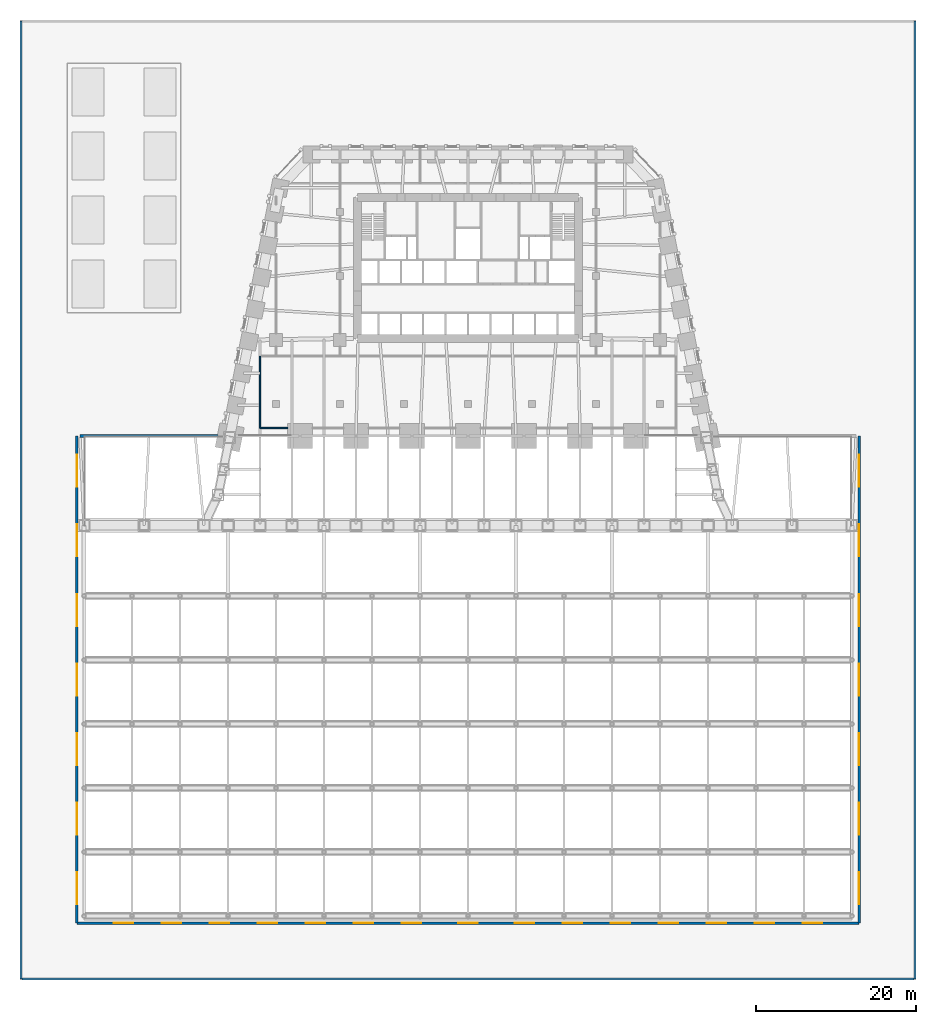
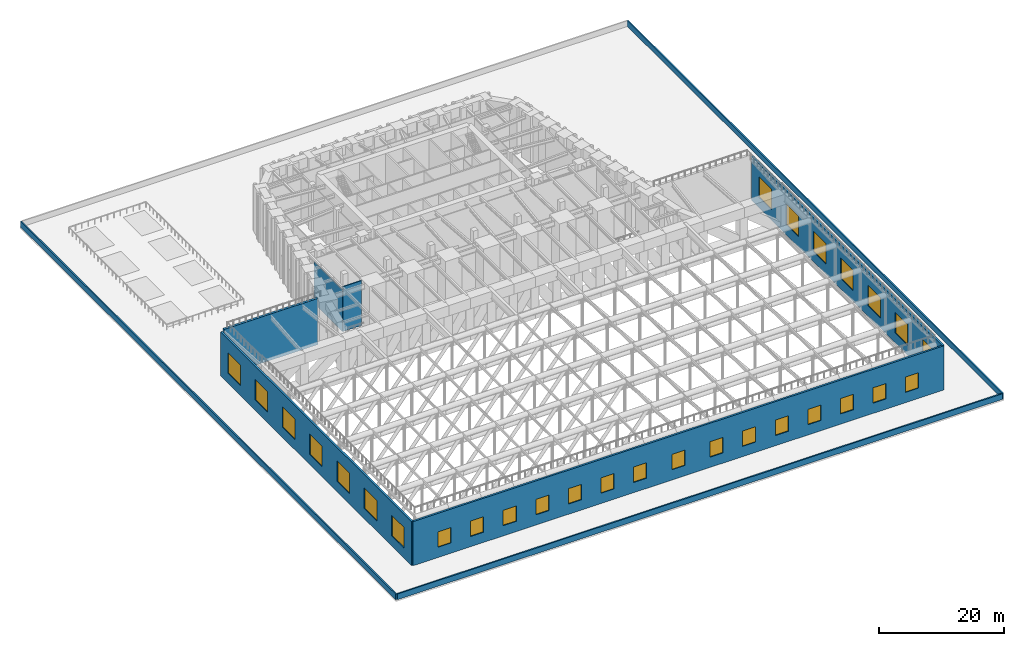
# One storey, part 14 of 20: 29 windows, 9 walls, 29 openings.
"""IFC4 building model written with IfcOpenShell, lengths in metres."""

from ifc_helpers import new_model, si_unit, direction, frame, frame_2d, origin, place, context, subcontext, project, spatial, rectangle, extrude, material, layer, layer_set, type_object, element, fill, save


model = new_model("IFC4")

# Units and contexts
model_context = context("Model", 3, precision=1e-05, world=origin(), true_north=direction((0.0, 1.0)))
body_context = subcontext(model_context, "Body", "Model", "MODEL_VIEW")
ifc_project = project(units=[si_unit("LENGTHUNIT", "METRE"), si_unit("AREAUNIT", "SQUARE_METRE"), si_unit("VOLUMEUNIT", "CUBIC_METRE"), si_unit("PLANEANGLEUNIT", "RADIAN"), si_unit("MASSUNIT", "GRAM", prefix="KILO")], contexts=[model_context])

# Site, building, storey
site_placement = place(None, origin())
site = spatial("IfcSite", under=ifc_project, at=site_placement, CompositionType="ELEMENT")
building_placement = place(site_placement, origin())
building = spatial("IfcBuilding", under=site, at=building_placement, Name="Isbrekke Arena Tower", CompositionType="ELEMENT")
storey_placement = place(building_placement, frame((0.0, 0.0, 19.0)))
storey = spatial("IfcBuildingStorey", under=building, at=storey_placement, Name="L03", CompositionType="ELEMENT", Elevation=19.0)

# Wall
ifc_material_1 = material(Name="Concrete B45 (C45/55)", Category="concrete")
ifc_layer_1 = layer(ifc_material_1, 0.39990234375)
ifc_layer_set_1 = layer_set([ifc_layer_1], Name="AW1 ARENA WALL 400")
wall_type_1 = type_object("IfcWallType", Name="AW1 ARENA WALL 400", PredefinedType="SHEAR", material=ifc_layer_set_1)
wall_1_placement = place(storey_placement, frame((-48.5, -6.0, 0.0), z_axis=(0.0, 0.0, 1.0), x_axis=(1.0, 0.0, 0.0)))
element("IfcWall", 1, at=wall_1_placement, inside=storey, type_object=wall_type_1, Name="Arena north wall W L03", PredefinedType="SHEAR", context=body_context, shape_type="SweptSolid", body=[
    extrude(rectangle(XDim=17.25, YDim=0.39990234375, at=frame_2d((8.625, 0.0))), origin(), (0.0, 0.0, 1.0), 9.0),
])

# Wall, openings, windows
ifc_material_2 = material(Name="Concrete B45 (C45/55)", Category="concrete")
ifc_layer_2 = layer(ifc_material_2, 0.35009765625)
ifc_layer_set_2 = layer_set([ifc_layer_2], Name="EW3 ARENA CLERESTORY WALL 350")
wall_type_2 = type_object("IfcWallType", Name="EW3 ARENA CLERESTORY WALL 350", PredefinedType="SOLIDWALL", material=ifc_layer_set_2)
wall_2_placement = place(storey_placement, frame((48.89990234375, -66.89990234375, 0.0), z_axis=(0.0, 0.0, 1.0), x_axis=(0.0, 1.0, 0.0)))
wall_2 = element("IfcWall", 2, at=wall_2_placement, inside=storey, type_object=wall_type_2, Name="EW3 arena clerestory wall E", PredefinedType="SOLIDWALL", context=body_context, shape_type="SweptSolid", body=[
    extrude(rectangle(XDim=60.89990234375, YDim=0.35009765625, at=frame_2d((30.449951171875, 0.0))), origin(), (0.0, 0.0, 1.0), 8.60009765625),
])
opening_1_placement = place(wall_2_placement, frame((2.35009765625, 0.0, 2.0)))
opening_1 = element("IfcOpeningElement", 3, at=opening_1_placement, cuts=wall_2, Name="Opening WN3", PredefinedType="OPENING", context=body_context, shape_type="SweptSolid", body=[
    extrude(rectangle(XDim=4.0, YDim=4.0, at=frame_2d((2.0, 2.0))), frame((0.0, 0.18994140625, 0.0), z_axis=(0.0, -1.0, 0.0), x_axis=(1.0, 0.0, 0.0)), (0.0, 0.0, 1.0), 0.3798828125),
])
opening_2_placement = place(wall_2_placement, frame((11.050048828125, 0.0, 2.0)))
opening_2 = element("IfcOpeningElement", 4, at=opening_2_placement, cuts=wall_2, Name="Opening WN3", PredefinedType="OPENING", context=body_context, shape_type="SweptSolid", body=[
    extrude(rectangle(XDim=4.0, YDim=4.0, at=frame_2d((2.0, 2.0))), frame((0.0, 0.18994140625, 0.0), z_axis=(0.0, -1.0, 0.0), x_axis=(1.0, 0.0, 0.0)), (0.0, 0.0, 1.0), 0.3798828125),
])
opening_3_placement = place(wall_2_placement, frame((19.75, 0.0, 2.0)))
opening_3 = element("IfcOpeningElement", 5, at=opening_3_placement, cuts=wall_2, Name="Opening WN3", PredefinedType="OPENING", context=body_context, shape_type="SweptSolid", body=[
    extrude(rectangle(XDim=4.0, YDim=4.0, at=frame_2d((2.0, 2.0))), frame((0.0, 0.18994140625, 0.0), z_axis=(0.0, -1.0, 0.0), x_axis=(1.0, 0.0, 0.0)), (0.0, 0.0, 1.0), 0.3798828125),
])
opening_4_placement = place(wall_2_placement, frame((28.449951171875, 0.0, 2.0)))
opening_4 = element("IfcOpeningElement", 6, at=opening_4_placement, cuts=wall_2, Name="Opening WN3", PredefinedType="OPENING", context=body_context, shape_type="SweptSolid", body=[
    extrude(rectangle(XDim=4.0, YDim=4.0, at=frame_2d((2.0, 2.0))), frame((0.0, 0.18994140625, 0.0), z_axis=(0.0, -1.0, 0.0), x_axis=(1.0, 0.0, 0.0)), (0.0, 0.0, 1.0), 0.3798828125),
])
opening_5_placement = place(wall_2_placement, frame((37.14990234375, 0.0, 2.0)))
opening_5 = element("IfcOpeningElement", 7, at=opening_5_placement, cuts=wall_2, Name="Opening WN3", PredefinedType="OPENING", context=body_context, shape_type="SweptSolid", body=[
    extrude(rectangle(XDim=4.0, YDim=4.0, at=frame_2d((2.0, 2.0))), frame((0.0, 0.18994140625, 0.0), z_axis=(0.0, -1.0, 0.0), x_axis=(1.0, 0.0, 0.0)), (0.0, 0.0, 1.0), 0.3798828125),
])
opening_6_placement = place(wall_2_placement, frame((45.85009765625, 0.0, 2.0)))
opening_6 = element("IfcOpeningElement", 8, at=opening_6_placement, cuts=wall_2, Name="Opening WN3", PredefinedType="OPENING", context=body_context, shape_type="SweptSolid", body=[
    extrude(rectangle(XDim=4.0, YDim=4.0, at=frame_2d((2.0, 2.0))), frame((0.0, 0.18994140625, 0.0), z_axis=(0.0, -1.0, 0.0), x_axis=(1.0, 0.0, 0.0)), (0.0, 0.0, 1.0), 0.3798828125),
])
opening_7_placement = place(wall_2_placement, frame((54.550048828125, 0.0, 2.0)))
opening_7 = element("IfcOpeningElement", 9, at=opening_7_placement, cuts=wall_2, Name="Opening WN3", PredefinedType="OPENING", context=body_context, shape_type="SweptSolid", body=[
    extrude(rectangle(XDim=4.0, YDim=4.0, at=frame_2d((2.0, 2.0))), frame((0.0, 0.18994140625, 0.0), z_axis=(0.0, -1.0, 0.0), x_axis=(1.0, 0.0, 0.0)), (0.0, 0.0, 1.0), 0.3798828125),
])
ifc_material_3 = material(Name="Aluminium window, triple glazed", Category="aluminium")
window_type_1 = type_object("IfcWindowType", Name="WN3 CLERESTORY WINDOW 4000 x 4000", PartitioningType="SINGLE_PANEL", PredefinedType="WINDOW", material=ifc_material_3)
window_1_placement = place(opening_1_placement, origin())
window_1 = element("IfcWindow", 10, at=window_1_placement, inside=storey, type_object=window_type_1, Name="WN3 clerestory window E-1", OverallHeight=4.0, OverallWidth=4.0, PartitioningType="SINGLE_PANEL", PredefinedType="WINDOW", context=body_context, shape_type="SweptSolid", body=[
    extrude(rectangle(XDim=4.0, YDim=4.0, at=frame_2d((2.0, 2.0))), frame((0.0, 0.030029296875, 0.0), z_axis=(0.0, -1.0, 0.0), x_axis=(1.0, 0.0, 0.0)), (0.0, 0.0, 1.0), 0.06005859375),
])
fill(opening_1, window_1)
window_2_placement = place(opening_2_placement, origin())
window_2 = element("IfcWindow", 11, at=window_2_placement, inside=storey, type_object=window_type_1, Name="WN3 clerestory window E-2", OverallHeight=4.0, OverallWidth=4.0, PartitioningType="SINGLE_PANEL", PredefinedType="WINDOW", context=body_context, shape_type="SweptSolid", body=[
    extrude(rectangle(XDim=4.0, YDim=4.0, at=frame_2d((2.0, 2.0))), frame((0.0, 0.030029296875, 0.0), z_axis=(0.0, -1.0, 0.0), x_axis=(1.0, 0.0, 0.0)), (0.0, 0.0, 1.0), 0.06005859375),
])
fill(opening_2, window_2)
window_3_placement = place(opening_3_placement, origin())
window_3 = element("IfcWindow", 12, at=window_3_placement, inside=storey, type_object=window_type_1, Name="WN3 clerestory window E-3", OverallHeight=4.0, OverallWidth=4.0, PartitioningType="SINGLE_PANEL", PredefinedType="WINDOW", context=body_context, shape_type="SweptSolid", body=[
    extrude(rectangle(XDim=4.0, YDim=4.0, at=frame_2d((2.0, 2.0))), frame((0.0, 0.030029296875, 0.0), z_axis=(0.0, -1.0, 0.0), x_axis=(1.0, 0.0, 0.0)), (0.0, 0.0, 1.0), 0.06005859375),
])
fill(opening_3, window_3)
window_4_placement = place(opening_4_placement, origin())
window_4 = element("IfcWindow", 13, at=window_4_placement, inside=storey, type_object=window_type_1, Name="WN3 clerestory window E-4", OverallHeight=4.0, OverallWidth=4.0, PartitioningType="SINGLE_PANEL", PredefinedType="WINDOW", context=body_context, shape_type="SweptSolid", body=[
    extrude(rectangle(XDim=4.0, YDim=4.0, at=frame_2d((2.0, 2.0))), frame((0.0, 0.030029296875, 0.0), z_axis=(0.0, -1.0, 0.0), x_axis=(1.0, 0.0, 0.0)), (0.0, 0.0, 1.0), 0.06005859375),
])
fill(opening_4, window_4)
window_5_placement = place(opening_5_placement, origin())
window_5 = element("IfcWindow", 14, at=window_5_placement, inside=storey, type_object=window_type_1, Name="WN3 clerestory window E-5", OverallHeight=4.0, OverallWidth=4.0, PartitioningType="SINGLE_PANEL", PredefinedType="WINDOW", context=body_context, shape_type="SweptSolid", body=[
    extrude(rectangle(XDim=4.0, YDim=4.0, at=frame_2d((2.0, 2.0))), frame((0.0, 0.030029296875, 0.0), z_axis=(0.0, -1.0, 0.0), x_axis=(1.0, 0.0, 0.0)), (0.0, 0.0, 1.0), 0.06005859375),
])
fill(opening_5, window_5)
window_6_placement = place(opening_6_placement, origin())
window_6 = element("IfcWindow", 15, at=window_6_placement, inside=storey, type_object=window_type_1, Name="WN3 clerestory window E-6", OverallHeight=4.0, OverallWidth=4.0, PartitioningType="SINGLE_PANEL", PredefinedType="WINDOW", context=body_context, shape_type="SweptSolid", body=[
    extrude(rectangle(XDim=4.0, YDim=4.0, at=frame_2d((2.0, 2.0))), frame((0.0, 0.030029296875, 0.0), z_axis=(0.0, -1.0, 0.0), x_axis=(1.0, 0.0, 0.0)), (0.0, 0.0, 1.0), 0.06005859375),
])
fill(opening_6, window_6)
window_7_placement = place(opening_7_placement, origin())
window_7 = element("IfcWindow", 16, at=window_7_placement, inside=storey, type_object=window_type_1, Name="WN3 clerestory window E-7", OverallHeight=4.0, OverallWidth=4.0, PartitioningType="SINGLE_PANEL", PredefinedType="WINDOW", context=body_context, shape_type="SweptSolid", body=[
    extrude(rectangle(XDim=4.0, YDim=4.0, at=frame_2d((2.0, 2.0))), frame((0.0, 0.030029296875, 0.0), z_axis=(0.0, -1.0, 0.0), x_axis=(1.0, 0.0, 0.0)), (0.0, 0.0, 1.0), 0.06005859375),
])
fill(opening_7, window_7)

wall_3_placement = place(storey_placement, frame((-48.89990234375, -66.89990234375, 0.0), z_axis=(0.0, 0.0, 1.0), x_axis=(1.0, 0.0, 0.0)))
wall_3 = element("IfcWall", 17, at=wall_3_placement, inside=storey, type_object=wall_type_2, Name="EW3 arena clerestory wall S", PredefinedType="SOLIDWALL", context=body_context, shape_type="SweptSolid", body=[
    extrude(rectangle(XDim=97.7998046875, YDim=0.35009765625, at=frame_2d((48.89990234375, 0.0))), origin(), (0.0, 0.0, 1.0), 8.60009765625),
])
opening_8_placement = place(wall_3_placement, frame((4.643798828125, 0.0, 2.0)))
opening_8 = element("IfcOpeningElement", 18, at=opening_8_placement, cuts=wall_3, Name="Opening WN5", PredefinedType="OPENING", context=body_context, shape_type="SweptSolid", body=[
    extrude(rectangle(XDim=2.39990234375, YDim=3.0, at=frame_2d((1.199951171875, 1.5))), frame((0.0, 0.18994140625, 0.0), z_axis=(0.0, -1.0, 0.0), x_axis=(1.0, 0.0, 0.0)), (0.0, 0.0, 1.0), 0.3798828125),
])
opening_9_placement = place(wall_3_placement, frame((10.643798828125, 0.0, 2.0)))
opening_9 = element("IfcOpeningElement", 19, at=opening_9_placement, cuts=wall_3, Name="Opening WN5", PredefinedType="OPENING", context=body_context, shape_type="SweptSolid", body=[
    extrude(rectangle(XDim=2.39990234375, YDim=3.0, at=frame_2d((1.199951171875, 1.5))), frame((0.0, 0.18994140625, 0.0), z_axis=(0.0, -1.0, 0.0), x_axis=(1.0, 0.0, 0.0)), (0.0, 0.0, 1.0), 0.3798828125),
])
opening_10_placement = place(wall_3_placement, frame((16.643798828125, 0.0, 2.0)))
opening_10 = element("IfcOpeningElement", 20, at=opening_10_placement, cuts=wall_3, Name="Opening WN5", PredefinedType="OPENING", context=body_context, shape_type="SweptSolid", body=[
    extrude(rectangle(XDim=2.39990234375, YDim=3.0, at=frame_2d((1.199951171875, 1.5))), frame((0.0, 0.18994140625, 0.0), z_axis=(0.0, -1.0, 0.0), x_axis=(1.0, 0.0, 0.0)), (0.0, 0.0, 1.0), 0.3798828125),
])
opening_11_placement = place(wall_3_placement, frame((22.643798828125, 0.0, 2.0)))
opening_11 = element("IfcOpeningElement", 21, at=opening_11_placement, cuts=wall_3, Name="Opening WN5", PredefinedType="OPENING", context=body_context, shape_type="SweptSolid", body=[
    extrude(rectangle(XDim=2.39990234375, YDim=3.0, at=frame_2d((1.199951171875, 1.5))), frame((0.0, 0.18994140625, 0.0), z_axis=(0.0, -1.0, 0.0), x_axis=(1.0, 0.0, 0.0)), (0.0, 0.0, 1.0), 0.3798828125),
])
opening_12_placement = place(wall_3_placement, frame((28.643798828125, 0.0, 2.0)))
opening_12 = element("IfcOpeningElement", 22, at=opening_12_placement, cuts=wall_3, Name="Opening WN5", PredefinedType="OPENING", context=body_context, shape_type="SweptSolid", body=[
    extrude(rectangle(XDim=2.39990234375, YDim=3.0, at=frame_2d((1.199951171875, 1.5))), frame((0.0, 0.18994140625, 0.0), z_axis=(0.0, -1.0, 0.0), x_axis=(1.0, 0.0, 0.0)), (0.0, 0.0, 1.0), 0.3798828125),
])
opening_13_placement = place(wall_3_placement, frame((34.643798828125, 0.0, 2.0)))
opening_13 = element("IfcOpeningElement", 23, at=opening_13_placement, cuts=wall_3, Name="Opening WN5", PredefinedType="OPENING", context=body_context, shape_type="SweptSolid", body=[
    extrude(rectangle(XDim=2.39990234375, YDim=3.0, at=frame_2d((1.199951171875, 1.5))), frame((0.0, 0.18994140625, 0.0), z_axis=(0.0, -1.0, 0.0), x_axis=(1.0, 0.0, 0.0)), (0.0, 0.0, 1.0), 0.3798828125),
])
opening_14_placement = place(wall_3_placement, frame((40.643798828125, 0.0, 2.0)))
opening_14 = element("IfcOpeningElement", 24, at=opening_14_placement, cuts=wall_3, Name="Opening WN5", PredefinedType="OPENING", context=body_context, shape_type="SweptSolid", body=[
    extrude(rectangle(XDim=2.39990234375, YDim=3.0, at=frame_2d((1.199951171875, 1.5))), frame((0.0, 0.18994140625, 0.0), z_axis=(0.0, -1.0, 0.0), x_axis=(1.0, 0.0, 0.0)), (0.0, 0.0, 1.0), 0.3798828125),
])
opening_15_placement = place(wall_3_placement, frame((47.699951171875, 0.0, 2.0)))
opening_15 = element("IfcOpeningElement", 25, at=opening_15_placement, cuts=wall_3, Name="Opening WN5", PredefinedType="OPENING", context=body_context, shape_type="SweptSolid", body=[
    extrude(rectangle(XDim=2.39990234375, YDim=3.0, at=frame_2d((1.199951171875, 1.5))), frame((0.0, 0.18994140625, 0.0), z_axis=(0.0, -1.0, 0.0), x_axis=(1.0, 0.0, 0.0)), (0.0, 0.0, 1.0), 0.3798828125),
])
opening_16_placement = place(wall_3_placement, frame((54.75634765625, 0.0, 2.0)))
opening_16 = element("IfcOpeningElement", 26, at=opening_16_placement, cuts=wall_3, Name="Opening WN5", PredefinedType="OPENING", context=body_context, shape_type="SweptSolid", body=[
    extrude(rectangle(XDim=2.39990234375, YDim=3.0, at=frame_2d((1.199951171875, 1.5))), frame((0.0, 0.18994140625, 0.0), z_axis=(0.0, -1.0, 0.0), x_axis=(1.0, 0.0, 0.0)), (0.0, 0.0, 1.0), 0.3798828125),
])
opening_17_placement = place(wall_3_placement, frame((60.75634765625, 0.0, 2.0)))
opening_17 = element("IfcOpeningElement", 27, at=opening_17_placement, cuts=wall_3, Name="Opening WN5", PredefinedType="OPENING", context=body_context, shape_type="SweptSolid", body=[
    extrude(rectangle(XDim=2.39990234375, YDim=3.0, at=frame_2d((1.199951171875, 1.5))), frame((0.0, 0.18994140625, 0.0), z_axis=(0.0, -1.0, 0.0), x_axis=(1.0, 0.0, 0.0)), (0.0, 0.0, 1.0), 0.3798828125),
])
opening_18_placement = place(wall_3_placement, frame((66.75634765625, 0.0, 2.0)))
opening_18 = element("IfcOpeningElement", 28, at=opening_18_placement, cuts=wall_3, Name="Opening WN5", PredefinedType="OPENING", context=body_context, shape_type="SweptSolid", body=[
    extrude(rectangle(XDim=2.39990234375, YDim=3.0, at=frame_2d((1.199951171875, 1.5))), frame((0.0, 0.18994140625, 0.0), z_axis=(0.0, -1.0, 0.0), x_axis=(1.0, 0.0, 0.0)), (0.0, 0.0, 1.0), 0.3798828125),
])
opening_19_placement = place(wall_3_placement, frame((72.75634765625, 0.0, 2.0)))
opening_19 = element("IfcOpeningElement", 29, at=opening_19_placement, cuts=wall_3, Name="Opening WN5", PredefinedType="OPENING", context=body_context, shape_type="SweptSolid", body=[
    extrude(rectangle(XDim=2.39990234375, YDim=3.0, at=frame_2d((1.199951171875, 1.5))), frame((0.0, 0.18994140625, 0.0), z_axis=(0.0, -1.0, 0.0), x_axis=(1.0, 0.0, 0.0)), (0.0, 0.0, 1.0), 0.3798828125),
])
opening_20_placement = place(wall_3_placement, frame((78.75634765625, 0.0, 2.0)))
opening_20 = element("IfcOpeningElement", 30, at=opening_20_placement, cuts=wall_3, Name="Opening WN5", PredefinedType="OPENING", context=body_context, shape_type="SweptSolid", body=[
    extrude(rectangle(XDim=2.39990234375, YDim=3.0, at=frame_2d((1.199951171875, 1.5))), frame((0.0, 0.18994140625, 0.0), z_axis=(0.0, -1.0, 0.0), x_axis=(1.0, 0.0, 0.0)), (0.0, 0.0, 1.0), 0.3798828125),
])
opening_21_placement = place(wall_3_placement, frame((84.75634765625, 0.0, 2.0)))
opening_21 = element("IfcOpeningElement", 31, at=opening_21_placement, cuts=wall_3, Name="Opening WN5", PredefinedType="OPENING", context=body_context, shape_type="SweptSolid", body=[
    extrude(rectangle(XDim=2.39990234375, YDim=3.0, at=frame_2d((1.199951171875, 1.5))), frame((0.0, 0.18994140625, 0.0), z_axis=(0.0, -1.0, 0.0), x_axis=(1.0, 0.0, 0.0)), (0.0, 0.0, 1.0), 0.3798828125),
])
opening_22_placement = place(wall_3_placement, frame((90.75634765625, 0.0, 2.0)))
opening_22 = element("IfcOpeningElement", 32, at=opening_22_placement, cuts=wall_3, Name="Opening WN5", PredefinedType="OPENING", context=body_context, shape_type="SweptSolid", body=[
    extrude(rectangle(XDim=2.39990234375, YDim=3.0, at=frame_2d((1.199951171875, 1.5))), frame((0.0, 0.18994140625, 0.0), z_axis=(0.0, -1.0, 0.0), x_axis=(1.0, 0.0, 0.0)), (0.0, 0.0, 1.0), 0.3798828125),
])
ifc_material_4 = material(Name="Aluminium window, triple glazed", Category="aluminium")
window_type_2 = type_object("IfcWindowType", Name="WN5 CLERESTORY WINDOW 2400 x 3000", PartitioningType="SINGLE_PANEL", PredefinedType="WINDOW", material=ifc_material_4)
window_8_placement = place(opening_8_placement, origin())
window_8 = element("IfcWindow", 33, at=window_8_placement, inside=storey, type_object=window_type_2, Name="WN5 clerestory window S-1", OverallHeight=3.0, OverallWidth=2.39990234375, PartitioningType="SINGLE_PANEL", PredefinedType="WINDOW", context=body_context, shape_type="SweptSolid", body=[
    extrude(rectangle(XDim=2.39990234375, YDim=3.0, at=frame_2d((1.199951171875, 1.5))), frame((0.0, 0.030029296875, 0.0), z_axis=(0.0, -1.0, 0.0), x_axis=(1.0, 0.0, 0.0)), (0.0, 0.0, 1.0), 0.06005859375),
])
fill(opening_8, window_8)
window_9_placement = place(opening_9_placement, origin())
window_9 = element("IfcWindow", 34, at=window_9_placement, inside=storey, type_object=window_type_2, Name="WN5 clerestory window S-2", OverallHeight=3.0, OverallWidth=2.39990234375, PartitioningType="SINGLE_PANEL", PredefinedType="WINDOW", context=body_context, shape_type="SweptSolid", body=[
    extrude(rectangle(XDim=2.39990234375, YDim=3.0, at=frame_2d((1.199951171875, 1.5))), frame((0.0, 0.030029296875, 0.0), z_axis=(0.0, -1.0, 0.0), x_axis=(1.0, 0.0, 0.0)), (0.0, 0.0, 1.0), 0.06005859375),
])
fill(opening_9, window_9)
window_10_placement = place(opening_10_placement, origin())
window_10 = element("IfcWindow", 35, at=window_10_placement, inside=storey, type_object=window_type_2, Name="WN5 clerestory window S-3", OverallHeight=3.0, OverallWidth=2.39990234375, PartitioningType="SINGLE_PANEL", PredefinedType="WINDOW", context=body_context, shape_type="SweptSolid", body=[
    extrude(rectangle(XDim=2.39990234375, YDim=3.0, at=frame_2d((1.199951171875, 1.5))), frame((0.0, 0.030029296875, 0.0), z_axis=(0.0, -1.0, 0.0), x_axis=(1.0, 0.0, 0.0)), (0.0, 0.0, 1.0), 0.06005859375),
])
fill(opening_10, window_10)
window_11_placement = place(opening_11_placement, origin())
window_11 = element("IfcWindow", 36, at=window_11_placement, inside=storey, type_object=window_type_2, Name="WN5 clerestory window S-4", OverallHeight=3.0, OverallWidth=2.39990234375, PartitioningType="SINGLE_PANEL", PredefinedType="WINDOW", context=body_context, shape_type="SweptSolid", body=[
    extrude(rectangle(XDim=2.39990234375, YDim=3.0, at=frame_2d((1.199951171875, 1.5))), frame((0.0, 0.030029296875, 0.0), z_axis=(0.0, -1.0, 0.0), x_axis=(1.0, 0.0, 0.0)), (0.0, 0.0, 1.0), 0.06005859375),
])
fill(opening_11, window_11)
window_12_placement = place(opening_12_placement, origin())
window_12 = element("IfcWindow", 37, at=window_12_placement, inside=storey, type_object=window_type_2, Name="WN5 clerestory window S-5", OverallHeight=3.0, OverallWidth=2.39990234375, PartitioningType="SINGLE_PANEL", PredefinedType="WINDOW", context=body_context, shape_type="SweptSolid", body=[
    extrude(rectangle(XDim=2.39990234375, YDim=3.0, at=frame_2d((1.199951171875, 1.5))), frame((0.0, 0.030029296875, 0.0), z_axis=(0.0, -1.0, 0.0), x_axis=(1.0, 0.0, 0.0)), (0.0, 0.0, 1.0), 0.06005859375),
])
fill(opening_12, window_12)
window_13_placement = place(opening_13_placement, origin())
window_13 = element("IfcWindow", 38, at=window_13_placement, inside=storey, type_object=window_type_2, Name="WN5 clerestory window S-6", OverallHeight=3.0, OverallWidth=2.39990234375, PartitioningType="SINGLE_PANEL", PredefinedType="WINDOW", context=body_context, shape_type="SweptSolid", body=[
    extrude(rectangle(XDim=2.39990234375, YDim=3.0, at=frame_2d((1.199951171875, 1.5))), frame((0.0, 0.030029296875, 0.0), z_axis=(0.0, -1.0, 0.0), x_axis=(1.0, 0.0, 0.0)), (0.0, 0.0, 1.0), 0.06005859375),
])
fill(opening_13, window_13)
window_14_placement = place(opening_14_placement, origin())
window_14 = element("IfcWindow", 39, at=window_14_placement, inside=storey, type_object=window_type_2, Name="WN5 clerestory window S-7", OverallHeight=3.0, OverallWidth=2.39990234375, PartitioningType="SINGLE_PANEL", PredefinedType="WINDOW", context=body_context, shape_type="SweptSolid", body=[
    extrude(rectangle(XDim=2.39990234375, YDim=3.0, at=frame_2d((1.199951171875, 1.5))), frame((0.0, 0.030029296875, 0.0), z_axis=(0.0, -1.0, 0.0), x_axis=(1.0, 0.0, 0.0)), (0.0, 0.0, 1.0), 0.06005859375),
])
fill(opening_14, window_14)
window_15_placement = place(opening_15_placement, origin())
window_15 = element("IfcWindow", 40, at=window_15_placement, inside=storey, type_object=window_type_2, Name="WN5 clerestory window S-8", OverallHeight=3.0, OverallWidth=2.39990234375, PartitioningType="SINGLE_PANEL", PredefinedType="WINDOW", context=body_context, shape_type="SweptSolid", body=[
    extrude(rectangle(XDim=2.39990234375, YDim=3.0, at=frame_2d((1.199951171875, 1.5))), frame((0.0, 0.030029296875, 0.0), z_axis=(0.0, -1.0, 0.0), x_axis=(1.0, 0.0, 0.0)), (0.0, 0.0, 1.0), 0.06005859375),
])
fill(opening_15, window_15)
window_16_placement = place(opening_16_placement, origin())
window_16 = element("IfcWindow", 41, at=window_16_placement, inside=storey, type_object=window_type_2, Name="WN5 clerestory window S-9", OverallHeight=3.0, OverallWidth=2.39990234375, PartitioningType="SINGLE_PANEL", PredefinedType="WINDOW", context=body_context, shape_type="SweptSolid", body=[
    extrude(rectangle(XDim=2.39990234375, YDim=3.0, at=frame_2d((1.199951171875, 1.5))), frame((0.0, 0.030029296875, 0.0), z_axis=(0.0, -1.0, 0.0), x_axis=(1.0, 0.0, 0.0)), (0.0, 0.0, 1.0), 0.06005859375),
])
fill(opening_16, window_16)
window_17_placement = place(opening_17_placement, origin())
window_17 = element("IfcWindow", 42, at=window_17_placement, inside=storey, type_object=window_type_2, Name="WN5 clerestory window S-10", OverallHeight=3.0, OverallWidth=2.39990234375, PartitioningType="SINGLE_PANEL", PredefinedType="WINDOW", context=body_context, shape_type="SweptSolid", body=[
    extrude(rectangle(XDim=2.39990234375, YDim=3.0, at=frame_2d((1.199951171875, 1.5))), frame((0.0, 0.030029296875, 0.0), z_axis=(0.0, -1.0, 0.0), x_axis=(1.0, 0.0, 0.0)), (0.0, 0.0, 1.0), 0.06005859375),
])
fill(opening_17, window_17)
window_18_placement = place(opening_18_placement, origin())
window_18 = element("IfcWindow", 43, at=window_18_placement, inside=storey, type_object=window_type_2, Name="WN5 clerestory window S-11", OverallHeight=3.0, OverallWidth=2.39990234375, PartitioningType="SINGLE_PANEL", PredefinedType="WINDOW", context=body_context, shape_type="SweptSolid", body=[
    extrude(rectangle(XDim=2.39990234375, YDim=3.0, at=frame_2d((1.199951171875, 1.5))), frame((0.0, 0.030029296875, 0.0), z_axis=(0.0, -1.0, 0.0), x_axis=(1.0, 0.0, 0.0)), (0.0, 0.0, 1.0), 0.06005859375),
])
fill(opening_18, window_18)
window_19_placement = place(opening_19_placement, origin())
window_19 = element("IfcWindow", 44, at=window_19_placement, inside=storey, type_object=window_type_2, Name="WN5 clerestory window S-12", OverallHeight=3.0, OverallWidth=2.39990234375, PartitioningType="SINGLE_PANEL", PredefinedType="WINDOW", context=body_context, shape_type="SweptSolid", body=[
    extrude(rectangle(XDim=2.39990234375, YDim=3.0, at=frame_2d((1.199951171875, 1.5))), frame((0.0, 0.030029296875, 0.0), z_axis=(0.0, -1.0, 0.0), x_axis=(1.0, 0.0, 0.0)), (0.0, 0.0, 1.0), 0.06005859375),
])
fill(opening_19, window_19)
window_20_placement = place(opening_20_placement, origin())
window_20 = element("IfcWindow", 45, at=window_20_placement, inside=storey, type_object=window_type_2, Name="WN5 clerestory window S-13", OverallHeight=3.0, OverallWidth=2.39990234375, PartitioningType="SINGLE_PANEL", PredefinedType="WINDOW", context=body_context, shape_type="SweptSolid", body=[
    extrude(rectangle(XDim=2.39990234375, YDim=3.0, at=frame_2d((1.199951171875, 1.5))), frame((0.0, 0.030029296875, 0.0), z_axis=(0.0, -1.0, 0.0), x_axis=(1.0, 0.0, 0.0)), (0.0, 0.0, 1.0), 0.06005859375),
])
fill(opening_20, window_20)
window_21_placement = place(opening_21_placement, origin())
window_21 = element("IfcWindow", 46, at=window_21_placement, inside=storey, type_object=window_type_2, Name="WN5 clerestory window S-14", OverallHeight=3.0, OverallWidth=2.39990234375, PartitioningType="SINGLE_PANEL", PredefinedType="WINDOW", context=body_context, shape_type="SweptSolid", body=[
    extrude(rectangle(XDim=2.39990234375, YDim=3.0, at=frame_2d((1.199951171875, 1.5))), frame((0.0, 0.030029296875, 0.0), z_axis=(0.0, -1.0, 0.0), x_axis=(1.0, 0.0, 0.0)), (0.0, 0.0, 1.0), 0.06005859375),
])
fill(opening_21, window_21)
window_22_placement = place(opening_22_placement, origin())
window_22 = element("IfcWindow", 47, at=window_22_placement, inside=storey, type_object=window_type_2, Name="WN5 clerestory window S-15", OverallHeight=3.0, OverallWidth=2.39990234375, PartitioningType="SINGLE_PANEL", PredefinedType="WINDOW", context=body_context, shape_type="SweptSolid", body=[
    extrude(rectangle(XDim=2.39990234375, YDim=3.0, at=frame_2d((1.199951171875, 1.5))), frame((0.0, 0.030029296875, 0.0), z_axis=(0.0, -1.0, 0.0), x_axis=(1.0, 0.0, 0.0)), (0.0, 0.0, 1.0), 0.06005859375),
])
fill(opening_22, window_22)

wall_4_placement = place(storey_placement, frame((-48.89990234375, -6.0, 0.0), z_axis=(0.0, 0.0, 1.0), x_axis=(0.0, -1.0, 0.0)))
wall_4 = element("IfcWall", 48, at=wall_4_placement, inside=storey, type_object=wall_type_2, Name="EW3 arena clerestory wall W", PredefinedType="SOLIDWALL", context=body_context, shape_type="SweptSolid", body=[
    extrude(rectangle(XDim=60.89990234375, YDim=0.35009765625, at=frame_2d((30.449951171875, 0.0))), origin(), (0.0, 0.0, 1.0), 8.60009765625),
])
opening_23_placement = place(wall_4_placement, frame((2.35009765625, 0.0, 2.0)))
opening_23 = element("IfcOpeningElement", 49, at=opening_23_placement, cuts=wall_4, Name="Opening WN3", PredefinedType="OPENING", context=body_context, shape_type="SweptSolid", body=[
    extrude(rectangle(XDim=4.0, YDim=4.0, at=frame_2d((2.0, 2.0))), frame((0.0, 0.18994140625, 0.0), z_axis=(0.0, -1.0, 0.0), x_axis=(1.0, 0.0, 0.0)), (0.0, 0.0, 1.0), 0.3798828125),
])
opening_24_placement = place(wall_4_placement, frame((11.050048828125, 0.0, 2.0)))
opening_24 = element("IfcOpeningElement", 50, at=opening_24_placement, cuts=wall_4, Name="Opening WN3", PredefinedType="OPENING", context=body_context, shape_type="SweptSolid", body=[
    extrude(rectangle(XDim=4.0, YDim=4.0, at=frame_2d((2.0, 2.0))), frame((0.0, 0.18994140625, 0.0), z_axis=(0.0, -1.0, 0.0), x_axis=(1.0, 0.0, 0.0)), (0.0, 0.0, 1.0), 0.3798828125),
])
opening_25_placement = place(wall_4_placement, frame((19.75, 0.0, 2.0)))
opening_25 = element("IfcOpeningElement", 51, at=opening_25_placement, cuts=wall_4, Name="Opening WN3", PredefinedType="OPENING", context=body_context, shape_type="SweptSolid", body=[
    extrude(rectangle(XDim=4.0, YDim=4.0, at=frame_2d((2.0, 2.0))), frame((0.0, 0.18994140625, 0.0), z_axis=(0.0, -1.0, 0.0), x_axis=(1.0, 0.0, 0.0)), (0.0, 0.0, 1.0), 0.3798828125),
])
opening_26_placement = place(wall_4_placement, frame((28.449951171875, 0.0, 2.0)))
opening_26 = element("IfcOpeningElement", 52, at=opening_26_placement, cuts=wall_4, Name="Opening WN3", PredefinedType="OPENING", context=body_context, shape_type="SweptSolid", body=[
    extrude(rectangle(XDim=4.0, YDim=4.0, at=frame_2d((2.0, 2.0))), frame((0.0, 0.18994140625, 0.0), z_axis=(0.0, -1.0, 0.0), x_axis=(1.0, 0.0, 0.0)), (0.0, 0.0, 1.0), 0.3798828125),
])
opening_27_placement = place(wall_4_placement, frame((37.14990234375, 0.0, 2.0)))
opening_27 = element("IfcOpeningElement", 53, at=opening_27_placement, cuts=wall_4, Name="Opening WN3", PredefinedType="OPENING", context=body_context, shape_type="SweptSolid", body=[
    extrude(rectangle(XDim=4.0, YDim=4.0, at=frame_2d((2.0, 2.0))), frame((0.0, 0.18994140625, 0.0), z_axis=(0.0, -1.0, 0.0), x_axis=(1.0, 0.0, 0.0)), (0.0, 0.0, 1.0), 0.3798828125),
])
opening_28_placement = place(wall_4_placement, frame((45.85009765625, 0.0, 2.0)))
opening_28 = element("IfcOpeningElement", 54, at=opening_28_placement, cuts=wall_4, Name="Opening WN3", PredefinedType="OPENING", context=body_context, shape_type="SweptSolid", body=[
    extrude(rectangle(XDim=4.0, YDim=4.0, at=frame_2d((2.0, 2.0))), frame((0.0, 0.18994140625, 0.0), z_axis=(0.0, -1.0, 0.0), x_axis=(1.0, 0.0, 0.0)), (0.0, 0.0, 1.0), 0.3798828125),
])
opening_29_placement = place(wall_4_placement, frame((54.550048828125, 0.0, 2.0)))
opening_29 = element("IfcOpeningElement", 55, at=opening_29_placement, cuts=wall_4, Name="Opening WN3", PredefinedType="OPENING", context=body_context, shape_type="SweptSolid", body=[
    extrude(rectangle(XDim=4.0, YDim=4.0, at=frame_2d((2.0, 2.0))), frame((0.0, 0.18994140625, 0.0), z_axis=(0.0, -1.0, 0.0), x_axis=(1.0, 0.0, 0.0)), (0.0, 0.0, 1.0), 0.3798828125),
])
window_23_placement = place(opening_23_placement, origin())
window_23 = element("IfcWindow", 56, at=window_23_placement, inside=storey, type_object=window_type_1, Name="WN3 clerestory window W-1", OverallHeight=4.0, OverallWidth=4.0, PartitioningType="SINGLE_PANEL", PredefinedType="WINDOW", context=body_context, shape_type="SweptSolid", body=[
    extrude(rectangle(XDim=4.0, YDim=4.0, at=frame_2d((2.0, 2.0))), frame((0.0, 0.030029296875, 0.0), z_axis=(0.0, -1.0, 0.0), x_axis=(1.0, 0.0, 0.0)), (0.0, 0.0, 1.0), 0.06005859375),
])
fill(opening_23, window_23)
window_24_placement = place(opening_24_placement, origin())
window_24 = element("IfcWindow", 57, at=window_24_placement, inside=storey, type_object=window_type_1, Name="WN3 clerestory window W-2", OverallHeight=4.0, OverallWidth=4.0, PartitioningType="SINGLE_PANEL", PredefinedType="WINDOW", context=body_context, shape_type="SweptSolid", body=[
    extrude(rectangle(XDim=4.0, YDim=4.0, at=frame_2d((2.0, 2.0))), frame((0.0, 0.030029296875, 0.0), z_axis=(0.0, -1.0, 0.0), x_axis=(1.0, 0.0, 0.0)), (0.0, 0.0, 1.0), 0.06005859375),
])
fill(opening_24, window_24)
window_25_placement = place(opening_25_placement, origin())
window_25 = element("IfcWindow", 58, at=window_25_placement, inside=storey, type_object=window_type_1, Name="WN3 clerestory window W-3", OverallHeight=4.0, OverallWidth=4.0, PartitioningType="SINGLE_PANEL", PredefinedType="WINDOW", context=body_context, shape_type="SweptSolid", body=[
    extrude(rectangle(XDim=4.0, YDim=4.0, at=frame_2d((2.0, 2.0))), frame((0.0, 0.030029296875, 0.0), z_axis=(0.0, -1.0, 0.0), x_axis=(1.0, 0.0, 0.0)), (0.0, 0.0, 1.0), 0.06005859375),
])
fill(opening_25, window_25)
window_26_placement = place(opening_26_placement, origin())
window_26 = element("IfcWindow", 59, at=window_26_placement, inside=storey, type_object=window_type_1, Name="WN3 clerestory window W-4", OverallHeight=4.0, OverallWidth=4.0, PartitioningType="SINGLE_PANEL", PredefinedType="WINDOW", context=body_context, shape_type="SweptSolid", body=[
    extrude(rectangle(XDim=4.0, YDim=4.0, at=frame_2d((2.0, 2.0))), frame((0.0, 0.030029296875, 0.0), z_axis=(0.0, -1.0, 0.0), x_axis=(1.0, 0.0, 0.0)), (0.0, 0.0, 1.0), 0.06005859375),
])
fill(opening_26, window_26)
window_27_placement = place(opening_27_placement, origin())
window_27 = element("IfcWindow", 60, at=window_27_placement, inside=storey, type_object=window_type_1, Name="WN3 clerestory window W-5", OverallHeight=4.0, OverallWidth=4.0, PartitioningType="SINGLE_PANEL", PredefinedType="WINDOW", context=body_context, shape_type="SweptSolid", body=[
    extrude(rectangle(XDim=4.0, YDim=4.0, at=frame_2d((2.0, 2.0))), frame((0.0, 0.030029296875, 0.0), z_axis=(0.0, -1.0, 0.0), x_axis=(1.0, 0.0, 0.0)), (0.0, 0.0, 1.0), 0.06005859375),
])
fill(opening_27, window_27)
window_28_placement = place(opening_28_placement, origin())
window_28 = element("IfcWindow", 61, at=window_28_placement, inside=storey, type_object=window_type_1, Name="WN3 clerestory window W-6", OverallHeight=4.0, OverallWidth=4.0, PartitioningType="SINGLE_PANEL", PredefinedType="WINDOW", context=body_context, shape_type="SweptSolid", body=[
    extrude(rectangle(XDim=4.0, YDim=4.0, at=frame_2d((2.0, 2.0))), frame((0.0, 0.030029296875, 0.0), z_axis=(0.0, -1.0, 0.0), x_axis=(1.0, 0.0, 0.0)), (0.0, 0.0, 1.0), 0.06005859375),
])
fill(opening_28, window_28)
window_29_placement = place(opening_29_placement, origin())
window_29 = element("IfcWindow", 62, at=window_29_placement, inside=storey, type_object=window_type_1, Name="WN3 clerestory window W-7", OverallHeight=4.0, OverallWidth=4.0, PartitioningType="SINGLE_PANEL", PredefinedType="WINDOW", context=body_context, shape_type="SweptSolid", body=[
    extrude(rectangle(XDim=4.0, YDim=4.0, at=frame_2d((2.0, 2.0))), frame((0.0, 0.030029296875, 0.0), z_axis=(0.0, -1.0, 0.0), x_axis=(1.0, 0.0, 0.0)), (0.0, 0.0, 1.0), 0.06005859375),
])
fill(opening_29, window_29)

# Walls
ifc_material_5 = material(Name="Gypsum board partition on steel studs", Category="steel")
ifc_layer_3 = layer(ifc_material_5, 0.14990234375)
ifc_layer_set_3 = layer_set([ifc_layer_3], Name="IW1 PARTITION 150")
wall_type_3 = type_object("IfcWallType", Name="IW1 PARTITION 150", PredefinedType="PARTITIONING", material=ifc_layer_set_3)
wall_5_placement = place(storey_placement, frame((-26.0, -5.0, 0.0), z_axis=(0.0, 0.0, 1.0), x_axis=(0.0, 1.0, 0.0)))
element("IfcWall", 63, at=wall_5_placement, inside=storey, type_object=wall_type_3, Name="IW1 partition L03", PredefinedType="PARTITIONING", context=body_context, shape_type="SweptSolid", body=[
    extrude(rectangle(XDim=9.0, YDim=0.14990234375, at=frame_2d((4.5, 0.0))), origin(), (0.0, 0.0, 1.0), 8.1298828125),
])
wall_6_placement = place(storey_placement, frame((-26.0, -5.0, 0.0), z_axis=(0.0, 0.0, 1.0), x_axis=(1.0, 0.0, 0.0)))
element("IfcWall", 64, at=wall_6_placement, inside=storey, type_object=wall_type_3, Name="IW1 partition L03", PredefinedType="PARTITIONING", context=body_context, shape_type="SweptSolid", body=[
    extrude(rectangle(XDim=3.43994140625, YDim=0.14990234375, at=frame_2d((1.719970703125, 0.0))), origin(), (0.0, 0.0, 1.0), 8.75),
])
ifc_material_6 = material(Name="Concrete B45 (C45/55)", Category="concrete")
ifc_layer_4 = layer(ifc_material_6, 0.25)
ifc_layer_set_4 = layer_set([ifc_layer_4], Name="PW1 PARAPET WALL 250")
wall_type_4 = type_object("IfcWallType", Name="PW1 PARAPET WALL 250", PredefinedType="PARAPET", material=ifc_layer_set_4)
wall_7_placement = place(storey_placement, frame((-55.75, -73.875, 0.0), z_axis=(0.0, 0.0, 1.0), x_axis=(1.0, 0.0, 0.0)))
element("IfcWall", 65, at=wall_7_placement, inside=storey, type_object=wall_type_4, Name="PW1 podium parapet 1", PredefinedType="PARAPET", context=body_context, shape_type="SweptSolid", body=[
    extrude(rectangle(XDim=111.5, YDim=0.25, at=frame_2d((55.75, 0.0))), origin(), (0.0, 0.0, 1.0), 1.10009765625),
])
for number, where, z_axis, x_axis, name in (
    (66, (55.875, -73.875, 0.0), (0.0, 0.0, 1.0), (0.0, 1.0, 0.0), "PW1 podium parapet 2"),
    (67, (-55.875, 45.875, 0.0), (0.0, 0.0, 1.0), (0.0, -1.0, 0.0), "PW1 podium parapet 4"),
):
    element("IfcWall", number, at=place(storey_placement, frame(where, z_axis=z_axis, x_axis=x_axis)), inside=storey, type_object=wall_type_4, Name=name, PredefinedType="PARAPET", context=body_context, shape_type="SweptSolid", body=[
        extrude(rectangle(XDim=119.75, YDim=0.25, at=frame_2d((59.875, 0.0))), origin(), (0.0, 0.0, 1.0), 1.10009765625),
    ])

save(model, "model.ifc")
